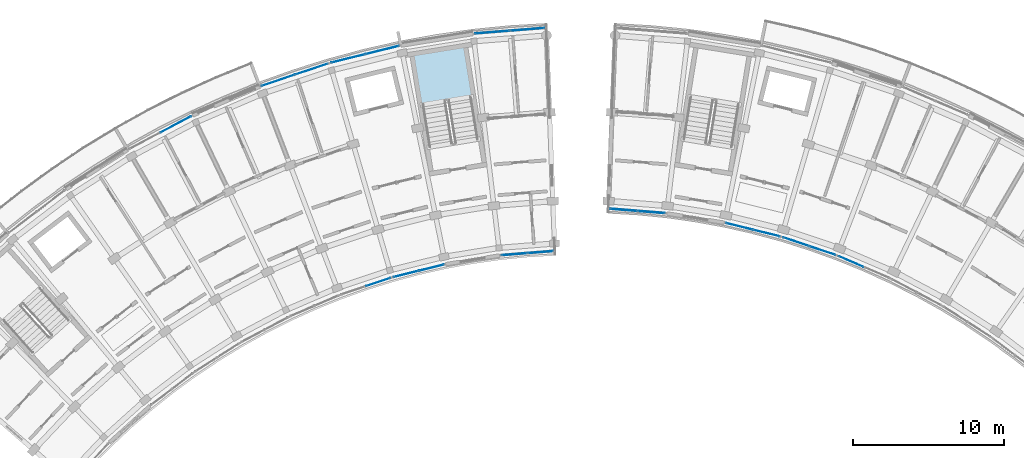
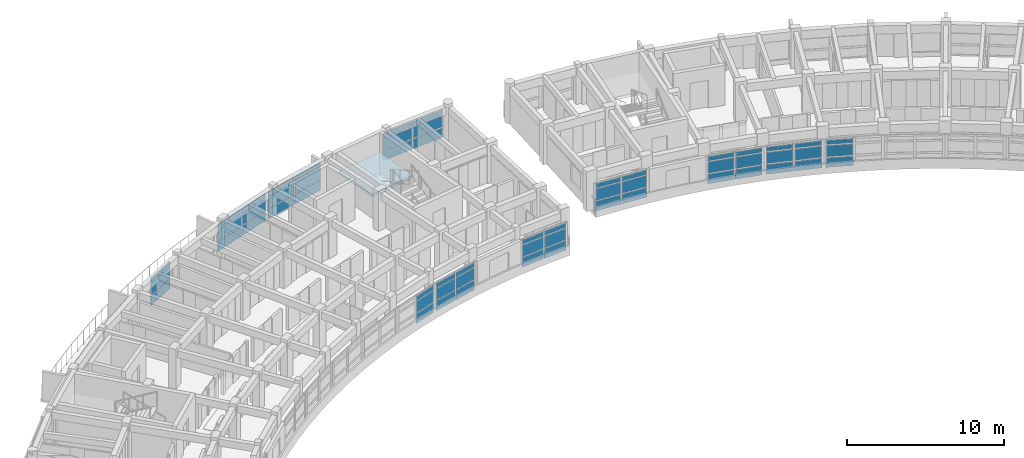
# One storey, part 20 of 40: 57 plates, 1 slab, 12 elements without a shape of their own.
"""IFC4 building model written with IfcOpenShell, lengths in metres."""

from ifc_helpers import new_model, si_unit, direction, frame, origin, origin_2d, place, context, subcontext, project, spatial, polyline, rectangle, outline, extrude, material, layer, layer_set, type_object, element, aggregate, save


model = new_model("IFC4")

# Units and contexts
model_context = context("Model", 3, precision=1e-05, world=origin(), true_north=direction((0.0, 1.0)))
body_context = subcontext(model_context, "Body", "Model", "MODEL_VIEW")
ifc_project = project(units=[si_unit("LENGTHUNIT", "METRE"), si_unit("AREAUNIT", "SQUARE_METRE"), si_unit("VOLUMEUNIT", "CUBIC_METRE"), si_unit("PLANEANGLEUNIT", "RADIAN"), si_unit("MASSUNIT", "GRAM", prefix="KILO")], contexts=[model_context])

# Site, building, storey
site_placement = place(None, origin())
site = spatial("IfcSite", under=ifc_project, at=site_placement, CompositionType="ELEMENT")
building_placement = place(site_placement, origin())
building = spatial("IfcBuilding", under=site, at=building_placement, Name="Zimvara Arc Housing Community", CompositionType="ELEMENT")
storey_placement = place(building_placement, frame((0.0, 0.0, 32.89990234375)))
storey = spatial("IfcBuildingStorey", under=building, at=storey_placement, Name="L10", CompositionType="ELEMENT", Elevation=32.89990234375)

# Curtain wall, plates
ifc_material_1 = material(Name="Anodised Aluminium AW-6063", Category="aluminium")
curtain_wall_type_1 = type_object("IfcCurtainWallType", Name="CW-SYS-04", PredefinedType="USERDEFINED", material=ifc_material_1)
curtain_wall_1_placement = place(storey_placement, origin())
curtain_wall_1 = element("IfcCurtainWall", 1, at=curtain_wall_1_placement, inside=storey, type_object=curtain_wall_type_1, Name="cw:blkA:L10:in:b7", ObjectType="CURTAIN WALL", PredefinedType="USERDEFINED")
ifc_material_2 = material(Name="Pale-Gold Anodised Aluminium Spandrel Panel", Category="aluminium")
ifc_layer_1 = layer(ifc_material_2, 0.035888671875)
ifc_layer_set_1 = layer_set([ifc_layer_1], Name="Pale-Gold Anodised Aluminium Spandrel Panel")
plate_type_1 = type_object("IfcPlateType", Name="CWP-GLD-36", PredefinedType="CURTAIN_PANEL", material=ifc_layer_set_1)
plate_1_placement = place(storey_placement, frame((33.45068359375, 87.569580078125, 0.065185546875), z_axis=(0.0, 0.0, 1.0), x_axis=(0.970716537698, 0.240227815706, 0.0)))
plate_1 = element("IfcPlate", 2, at=plate_1_placement, type_object=plate_type_1, Name="CW04 panel 1.1", PredefinedType="CURTAIN_PANEL", context=body_context, shape_type="SweptSolid", body=[
    extrude(rectangle(XDim=1.664306640625, YDim=0.035888671875, at=origin_2d()), origin(), (0.0, 0.0, 1.0), 0.75244140625),
])
plate_2_placement = place(storey_placement, frame((33.45068359375, 87.569580078125, 0.8828125), z_axis=(0.0, 0.0, 1.0), x_axis=(0.970716537698, 0.240227815706, 0.0)))
plate_2 = element("IfcPlate", 3, at=plate_2_placement, type_object=plate_type_1, Name="CW04 panel 1.2", PredefinedType="CURTAIN_PANEL", context=body_context, shape_type="SweptSolid", body=[
    extrude(rectangle(XDim=1.664306640625, YDim=0.035888671875, at=origin_2d()), origin(), (0.0, 0.0, 1.0), 0.885009765625),
])
plate_3_placement = place(storey_placement, frame((33.45068359375, 87.569580078125, 1.83251953125), z_axis=(0.0, 0.0, 1.0), x_axis=(0.970716537698, 0.240227815706, 0.0)))
plate_3 = element("IfcPlate", 4, at=plate_3_placement, type_object=plate_type_1, Name="CW04 panel 1.3", PredefinedType="CURTAIN_PANEL", context=body_context, shape_type="SweptSolid", body=[
    extrude(rectangle(XDim=1.664306640625, YDim=0.035888671875, at=origin_2d()), origin(), (0.0, 0.0, 1.0), 0.3525390625),
])
plate_4_placement = place(storey_placement, frame((35.12939453125, 87.98486328125, 0.065185546875), z_axis=(0.0, 0.0, 1.0), x_axis=(0.970716537698, 0.240227815706, 0.0)))
plate_4 = element("IfcPlate", 5, at=plate_4_placement, type_object=plate_type_1, Name="CW04 panel 2.1", PredefinedType="CURTAIN_PANEL", context=body_context, shape_type="SweptSolid", body=[
    extrude(rectangle(XDim=1.664306640625, YDim=0.035888671875, at=origin_2d()), origin(), (0.0, 0.0, 1.0), 0.75244140625),
])
plate_5_placement = place(storey_placement, frame((35.12939453125, 87.98486328125, 0.8828125), z_axis=(0.0, 0.0, 1.0), x_axis=(0.970716537698, 0.240227815706, 0.0)))
plate_5 = element("IfcPlate", 6, at=plate_5_placement, type_object=plate_type_1, Name="CW04 panel 2.2", PredefinedType="CURTAIN_PANEL", context=body_context, shape_type="SweptSolid", body=[
    extrude(rectangle(XDim=1.664306640625, YDim=0.035888671875, at=origin_2d()), origin(), (0.0, 0.0, 1.0), 0.885009765625),
])
plate_6_placement = place(storey_placement, frame((35.12939453125, 87.98486328125, 1.83251953125), z_axis=(0.0, 0.0, 1.0), x_axis=(0.970716537698, 0.240227815706, 0.0)))
plate_6 = element("IfcPlate", 7, at=plate_6_placement, type_object=plate_type_1, Name="CW04 panel 2.3", PredefinedType="CURTAIN_PANEL", context=body_context, shape_type="SweptSolid", body=[
    extrude(rectangle(XDim=1.664306640625, YDim=0.035888671875, at=origin_2d()), origin(), (0.0, 0.0, 1.0), 0.3525390625),
])
aggregate(curtain_wall_1, [plate_1, plate_2, plate_3, plate_4, plate_5, plate_6])

ifc_material_3 = material(Name="Anodised Aluminium AW-6063", Category="aluminium")
curtain_wall_type_2 = type_object("IfcCurtainWallType", Name="CW-SYS-08", PredefinedType="USERDEFINED", material=ifc_material_3)
curtain_wall_2_placement = place(storey_placement, origin())
curtain_wall_2 = element("IfcCurtainWall", 8, at=curtain_wall_2_placement, inside=storey, type_object=curtain_wall_type_2, Name="cw:blkB:L10:in:b0", ObjectType="CURTAIN WALL", PredefinedType="USERDEFINED")
plate_7_placement = place(storey_placement, frame((47.83154296875, 91.8046875, 0.065185546875), z_axis=(0.0, 0.0, 1.0), x_axis=(0.996862312384, -0.079155101851, 0.0)))
plate_7 = element("IfcPlate", 9, at=plate_7_placement, type_object=plate_type_1, Name="CW08 panel 1.1", PredefinedType="CURTAIN_PANEL", context=body_context, shape_type="SweptSolid", body=[
    extrude(rectangle(XDim=1.778564453125, YDim=0.035888671875, at=origin_2d()), origin(), (0.0, 0.0, 1.0), 0.75244140625),
])
plate_8_placement = place(storey_placement, frame((47.83154296875, 91.8046875, 0.8828125), z_axis=(0.0, 0.0, 1.0), x_axis=(0.996862312384, -0.079155101851, 0.0)))
plate_8 = element("IfcPlate", 10, at=plate_8_placement, type_object=plate_type_1, Name="CW08 panel 1.2", PredefinedType="CURTAIN_PANEL", context=body_context, shape_type="SweptSolid", body=[
    extrude(rectangle(XDim=1.778564453125, YDim=0.035888671875, at=origin_2d()), origin(), (0.0, 0.0, 1.0), 0.885009765625),
])
plate_9_placement = place(storey_placement, frame((47.83154296875, 91.8046875, 1.83251953125), z_axis=(0.0, 0.0, 1.0), x_axis=(0.996862312384, -0.079155101851, 0.0)))
plate_9 = element("IfcPlate", 11, at=plate_9_placement, type_object=plate_type_1, Name="CW08 panel 1.3", PredefinedType="CURTAIN_PANEL", context=body_context, shape_type="SweptSolid", body=[
    extrude(rectangle(XDim=1.778564453125, YDim=0.035888671875, at=origin_2d()), origin(), (0.0, 0.0, 1.0), 0.3525390625),
])
plate_10_placement = place(storey_placement, frame((49.66943359375, 91.658935546875, 0.065185546875), z_axis=(0.0, 0.0, 1.0), x_axis=(0.996862312384, -0.079155101851, 0.0)))
plate_10 = element("IfcPlate", 12, at=plate_10_placement, type_object=plate_type_1, Name="CW08 panel 2.1", PredefinedType="CURTAIN_PANEL", context=body_context, shape_type="SweptSolid", body=[
    extrude(rectangle(XDim=1.778564453125, YDim=0.035888671875, at=origin_2d()), origin(), (0.0, 0.0, 1.0), 0.75244140625),
])
plate_11_placement = place(storey_placement, frame((49.66943359375, 91.658935546875, 0.8828125), z_axis=(0.0, 0.0, 1.0), x_axis=(0.996862312384, -0.079155101851, 0.0)))
plate_11 = element("IfcPlate", 13, at=plate_11_placement, type_object=plate_type_1, Name="CW08 panel 2.2", PredefinedType="CURTAIN_PANEL", context=body_context, shape_type="SweptSolid", body=[
    extrude(rectangle(XDim=1.778564453125, YDim=0.035888671875, at=origin_2d()), origin(), (0.0, 0.0, 1.0), 0.885009765625),
])
plate_12_placement = place(storey_placement, frame((49.66943359375, 91.658935546875, 1.83251953125), z_axis=(0.0, 0.0, 1.0), x_axis=(0.996862312384, -0.079155101851, 0.0)))
plate_12 = element("IfcPlate", 14, at=plate_12_placement, type_object=plate_type_1, Name="CW08 panel 2.3", PredefinedType="CURTAIN_PANEL", context=body_context, shape_type="SweptSolid", body=[
    extrude(rectangle(XDim=1.778564453125, YDim=0.035888671875, at=origin_2d()), origin(), (0.0, 0.0, 1.0), 0.3525390625),
])
aggregate(curtain_wall_2, [plate_7, plate_8, plate_9, plate_10, plate_11, plate_12])

ifc_material_4 = material(Name="Anodised Aluminium AW-6063", Category="aluminium")
curtain_wall_type_3 = type_object("IfcCurtainWallType", Name="CW-SYS-01", PredefinedType="USERDEFINED", material=ifc_material_4)
curtain_wall_3_placement = place(storey_placement, origin())
curtain_wall_3 = element("IfcCurtainWall", 15, at=curtain_wall_3_placement, inside=storey, type_object=curtain_wall_type_3, Name="cw:blkA:L10:out:b6", ObjectType="CURTAIN WALL", PredefinedType="USERDEFINED")
ifc_material_5 = material(Name="Solar Control Low-E Double Glazing", Category="glass")
ifc_layer_2 = layer(ifc_material_5, 0.02392578125)
ifc_layer_set_2 = layer_set([ifc_layer_2], Name="Solar Control Low-E Double Glazing")
plate_type_2 = type_object("IfcPlateType", Name="CWP-GLZ-24", PredefinedType="CURTAIN_PANEL", material=ifc_layer_set_2)
plate_13_placement = place(storey_placement, frame((24.990478515625, 100.36669921875, 0.065185546875), z_axis=(0.0, 0.0, 1.0), x_axis=(0.947879647164, 0.318628583921, 0.0)))
plate_13 = element("IfcPlate", 16, at=plate_13_placement, type_object=plate_type_2, Name="CW01 panel 1.1", PredefinedType="CURTAIN_PANEL", context=body_context, shape_type="SweptSolid", body=[
    extrude(rectangle(XDim=2.266845703125, YDim=0.02392578125, at=origin_2d()), origin(), (0.0, 0.0, 1.0), 0.75244140625),
])
plate_14_placement = place(storey_placement, frame((24.990478515625, 100.36669921875, 0.8828125), z_axis=(0.0, 0.0, 1.0), x_axis=(0.947879647164, 0.318628583921, 0.0)))
plate_14 = element("IfcPlate", 17, at=plate_14_placement, type_object=plate_type_2, Name="CW01 panel 1.2", PredefinedType="CURTAIN_PANEL", context=body_context, shape_type="SweptSolid", body=[
    extrude(rectangle(XDim=2.266845703125, YDim=0.02392578125, at=origin_2d()), origin(), (0.0, 0.0, 1.0), 0.885009765625),
])
plate_15_placement = place(storey_placement, frame((24.990478515625, 100.36669921875, 1.83251953125), z_axis=(0.0, 0.0, 1.0), x_axis=(0.947879647164, 0.318628583921, 0.0)))
plate_15 = element("IfcPlate", 18, at=plate_15_placement, type_object=plate_type_2, Name="CW01 panel 1.3", PredefinedType="CURTAIN_PANEL", context=body_context, shape_type="SweptSolid", body=[
    extrude(rectangle(XDim=2.266845703125, YDim=0.02392578125, at=origin_2d()), origin(), (0.0, 0.0, 1.0), 0.3525390625),
])
plate_16_placement = place(storey_placement, frame((27.200927734375, 101.109619140625, 0.065185546875), z_axis=(0.0, 0.0, 1.0), x_axis=(0.947879647164, 0.318628583921, 0.0)))
plate_16 = element("IfcPlate", 19, at=plate_16_placement, type_object=plate_type_2, Name="CW01 panel 2.1", PredefinedType="CURTAIN_PANEL", context=body_context, shape_type="SweptSolid", body=[
    extrude(rectangle(XDim=2.266845703125, YDim=0.02392578125, at=origin_2d()), origin(), (0.0, 0.0, 1.0), 0.75244140625),
])
plate_17_placement = place(storey_placement, frame((27.200927734375, 101.109619140625, 0.8828125), z_axis=(0.0, 0.0, 1.0), x_axis=(0.947879647164, 0.318628583921, 0.0)))
plate_17 = element("IfcPlate", 20, at=plate_17_placement, type_object=plate_type_2, Name="CW01 panel 2.2", PredefinedType="CURTAIN_PANEL", context=body_context, shape_type="SweptSolid", body=[
    extrude(rectangle(XDim=2.266845703125, YDim=0.02392578125, at=origin_2d()), origin(), (0.0, 0.0, 1.0), 0.885009765625),
])
plate_18_placement = place(storey_placement, frame((27.200927734375, 101.109619140625, 1.83251953125), z_axis=(0.0, 0.0, 1.0), x_axis=(0.947879647164, 0.318628583921, 0.0)))
plate_18 = element("IfcPlate", 21, at=plate_18_placement, type_object=plate_type_2, Name="CW01 panel 2.3", PredefinedType="CURTAIN_PANEL", context=body_context, shape_type="SweptSolid", body=[
    extrude(rectangle(XDim=2.266845703125, YDim=0.02392578125, at=origin_2d()), origin(), (0.0, 0.0, 1.0), 0.3525390625),
])
aggregate(curtain_wall_3, [plate_13, plate_14, plate_15, plate_16, plate_17, plate_18])

ifc_material_6 = material(Name="Anodised Aluminium AW-6063", Category="aluminium")
curtain_wall_type_4 = type_object("IfcCurtainWallType", Name="CW-SYS-05", PredefinedType="USERDEFINED", material=ifc_material_6)
curtain_wall_4_placement = place(storey_placement, origin())
curtain_wall_4 = element("IfcCurtainWall", 22, at=curtain_wall_4_placement, inside=storey, type_object=curtain_wall_type_4, Name="cw:blkA:L10:out:b9", ObjectType="CURTAIN WALL", PredefinedType="USERDEFINED")
plate_19_placement = place(storey_placement, frame((39.141357421875, 103.552001953125, 0.065185546875), z_axis=(0.0, 0.0, 1.0), x_axis=(0.996862418963, 0.079153759607, 0.0)))
plate_19 = element("IfcPlate", 23, at=plate_19_placement, type_object=plate_type_2, Name="CW05 panel 1.1", PredefinedType="CURTAIN_PANEL", context=body_context, shape_type="SweptSolid", body=[
    extrude(rectangle(XDim=2.266845703125, YDim=0.02392578125, at=origin_2d()), origin(), (0.0, 0.0, 1.0), 0.75244140625),
])
plate_20_placement = place(storey_placement, frame((39.141357421875, 103.552001953125, 0.8828125), z_axis=(0.0, 0.0, 1.0), x_axis=(0.996862418963, 0.079153759607, 0.0)))
plate_20 = element("IfcPlate", 24, at=plate_20_placement, type_object=plate_type_2, Name="CW05 panel 1.2", PredefinedType="CURTAIN_PANEL", context=body_context, shape_type="SweptSolid", body=[
    extrude(rectangle(XDim=2.266845703125, YDim=0.02392578125, at=origin_2d()), origin(), (0.0, 0.0, 1.0), 0.885009765625),
])
plate_21_placement = place(storey_placement, frame((39.141357421875, 103.552001953125, 1.83251953125), z_axis=(0.0, 0.0, 1.0), x_axis=(0.996862418963, 0.079153759607, 0.0)))
plate_21 = element("IfcPlate", 25, at=plate_21_placement, type_object=plate_type_2, Name="CW05 panel 1.3", PredefinedType="CURTAIN_PANEL", context=body_context, shape_type="SweptSolid", body=[
    extrude(rectangle(XDim=2.266845703125, YDim=0.02392578125, at=origin_2d()), origin(), (0.0, 0.0, 1.0), 0.3525390625),
])
plate_22_placement = place(storey_placement, frame((41.466064453125, 103.736572265625, 0.065185546875), z_axis=(0.0, 0.0, 1.0), x_axis=(0.996862418963, 0.079153759607, 0.0)))
plate_22 = element("IfcPlate", 26, at=plate_22_placement, type_object=plate_type_2, Name="CW05 panel 2.1", PredefinedType="CURTAIN_PANEL", context=body_context, shape_type="SweptSolid", body=[
    extrude(rectangle(XDim=2.266845703125, YDim=0.02392578125, at=origin_2d()), origin(), (0.0, 0.0, 1.0), 0.75244140625),
])
plate_23_placement = place(storey_placement, frame((41.466064453125, 103.736572265625, 0.8828125), z_axis=(0.0, 0.0, 1.0), x_axis=(0.996862418963, 0.079153759607, 0.0)))
plate_23 = element("IfcPlate", 27, at=plate_23_placement, type_object=plate_type_2, Name="CW05 panel 2.2", PredefinedType="CURTAIN_PANEL", context=body_context, shape_type="SweptSolid", body=[
    extrude(rectangle(XDim=2.266845703125, YDim=0.02392578125, at=origin_2d()), origin(), (0.0, 0.0, 1.0), 0.885009765625),
])
plate_24_placement = place(storey_placement, frame((41.466064453125, 103.736572265625, 1.83251953125), z_axis=(0.0, 0.0, 1.0), x_axis=(0.996862418963, 0.079153759607, 0.0)))
plate_24 = element("IfcPlate", 28, at=plate_24_placement, type_object=plate_type_2, Name="CW05 panel 2.3", PredefinedType="CURTAIN_PANEL", context=body_context, shape_type="SweptSolid", body=[
    extrude(rectangle(XDim=2.266845703125, YDim=0.02392578125, at=origin_2d()), origin(), (0.0, 0.0, 1.0), 0.3525390625),
])
aggregate(curtain_wall_4, [plate_19, plate_20, plate_21, plate_22, plate_23, plate_24])

curtain_wall_5_placement = place(storey_placement, origin())
curtain_wall_5 = element("IfcCurtainWall", 29, at=curtain_wall_5_placement, inside=storey, type_object=curtain_wall_type_4, Name="cw:blkB:L10:in:b4", ObjectType="CURTAIN WALL", PredefinedType="USERDEFINED")
plate_25_placement = place(storey_placement, frame((62.86376953125, 88.3935546875, 0.065185546875), z_axis=(0.0, 0.0, 1.0), x_axis=(0.918722411261, -0.394903951674, 0.0)))
plate_25 = element("IfcPlate", 30, at=plate_25_placement, type_object=plate_type_2, Name="CW05 panel 1.1", PredefinedType="CURTAIN_PANEL", context=body_context, shape_type="SweptSolid", body=[
    extrude(rectangle(XDim=1.778564453125, YDim=0.02392578125, at=origin_2d()), origin(), (0.0, 0.0, 1.0), 0.75244140625),
])
plate_26_placement = place(storey_placement, frame((62.86376953125, 88.3935546875, 0.8828125), z_axis=(0.0, 0.0, 1.0), x_axis=(0.918722411261, -0.394903951674, 0.0)))
plate_26 = element("IfcPlate", 31, at=plate_26_placement, type_object=plate_type_2, Name="CW05 panel 1.2", PredefinedType="CURTAIN_PANEL", context=body_context, shape_type="SweptSolid", body=[
    extrude(rectangle(XDim=1.778564453125, YDim=0.02392578125, at=origin_2d()), origin(), (0.0, 0.0, 1.0), 0.885009765625),
])
plate_27_placement = place(storey_placement, frame((62.86376953125, 88.3935546875, 1.83251953125), z_axis=(0.0, 0.0, 1.0), x_axis=(0.918722411261, -0.394903951674, 0.0)))
plate_27 = element("IfcPlate", 32, at=plate_27_placement, type_object=plate_type_2, Name="CW05 panel 1.3", PredefinedType="CURTAIN_PANEL", context=body_context, shape_type="SweptSolid", body=[
    extrude(rectangle(XDim=1.778564453125, YDim=0.02392578125, at=origin_2d()), origin(), (0.0, 0.0, 1.0), 0.3525390625),
])
aggregate(curtain_wall_5, [plate_25, plate_26, plate_27])

ifc_material_7 = material(Name="Anodised Aluminium AW-6063", Category="aluminium")
curtain_wall_type_5 = type_object("IfcCurtainWallType", Name="CW-SYS-06", PredefinedType="USERDEFINED", material=ifc_material_7)
curtain_wall_6_placement = place(storey_placement, origin())
curtain_wall_6 = element("IfcCurtainWall", 33, at=curtain_wall_6_placement, inside=storey, type_object=curtain_wall_type_5, Name="cw:blkA:L10:out:b4", ObjectType="CURTAIN WALL", PredefinedType="USERDEFINED")
ifc_material_8 = material(Name="Solar Control Low-E Double Glazing", Category="glass")
ifc_layer_3 = layer(ifc_material_8, 0.028076171875)
ifc_layer_set_3 = layer_set([ifc_layer_3], Name="Solar Control Low-E Double Glazing")
plate_type_3 = type_object("IfcPlateType", Name="CWP-GLZ-28", PredefinedType="CURTAIN_PANEL", material=ifc_layer_set_3)
plate_28_placement = place(storey_placement, frame((18.23095703125, 97.461181640625, 0.065185546875), z_axis=(0.0, 0.0, 1.0), x_axis=(0.883438614651, 0.468546917761, 0.0)))
plate_28 = element("IfcPlate", 34, at=plate_28_placement, type_object=plate_type_3, Name="CW06 panel 2.1", PredefinedType="CURTAIN_PANEL", context=body_context, shape_type="SweptSolid", body=[
    extrude(rectangle(XDim=2.266845703125, YDim=0.028076171875, at=origin_2d()), origin(), (0.0, 0.0, 1.0), 0.75244140625),
])
plate_29_placement = place(storey_placement, frame((18.23095703125, 97.461181640625, 0.8828125), z_axis=(0.0, 0.0, 1.0), x_axis=(0.883438614651, 0.468546917761, 0.0)))
plate_29 = element("IfcPlate", 35, at=plate_29_placement, type_object=plate_type_3, Name="CW06 panel 2.2", PredefinedType="CURTAIN_PANEL", context=body_context, shape_type="SweptSolid", body=[
    extrude(rectangle(XDim=2.266845703125, YDim=0.028076171875, at=origin_2d()), origin(), (0.0, 0.0, 1.0), 0.885009765625),
])
plate_30_placement = place(storey_placement, frame((18.23095703125, 97.461181640625, 1.83251953125), z_axis=(0.0, 0.0, 1.0), x_axis=(0.883438614651, 0.468546917761, 0.0)))
plate_30 = element("IfcPlate", 36, at=plate_30_placement, type_object=plate_type_3, Name="CW06 panel 2.3", PredefinedType="CURTAIN_PANEL", context=body_context, shape_type="SweptSolid", body=[
    extrude(rectangle(XDim=2.266845703125, YDim=0.028076171875, at=origin_2d()), origin(), (0.0, 0.0, 1.0), 0.3525390625),
])
aggregate(curtain_wall_6, [plate_28, plate_29, plate_30])

ifc_material_9 = material(Name="Anodised Aluminium AW-6063", Category="aluminium")
curtain_wall_type_6 = type_object("IfcCurtainWallType", Name="CW-SYS-02", PredefinedType="USERDEFINED", material=ifc_material_9)
curtain_wall_7_placement = place(storey_placement, origin())
curtain_wall_7 = element("IfcCurtainWall", 37, at=curtain_wall_7_placement, inside=storey, type_object=curtain_wall_type_6, Name="cw:blkA:L10:in:b6", ObjectType="CURTAIN WALL", PredefinedType="USERDEFINED")
plate_31_placement = place(storey_placement, frame((31.6142578125, 87.03466796875, 0.065185546875), z_axis=(0.0, 0.0, 1.0), x_axis=(0.94787908732, 0.318630249383, 0.0)))
plate_31 = element("IfcPlate", 38, at=plate_31_placement, type_object=plate_type_3, Name="CW02 panel 2.1", PredefinedType="CURTAIN_PANEL", context=body_context, shape_type="SweptSolid", body=[
    extrude(rectangle(XDim=1.664306640625, YDim=0.028076171875, at=origin_2d()), origin(), (0.0, 0.0, 1.0), 0.75244140625),
])
plate_32_placement = place(storey_placement, frame((31.6142578125, 87.03466796875, 0.8828125), z_axis=(0.0, 0.0, 1.0), x_axis=(0.94787908732, 0.318630249383, 0.0)))
plate_32 = element("IfcPlate", 39, at=plate_32_placement, type_object=plate_type_3, Name="CW02 panel 2.2", PredefinedType="CURTAIN_PANEL", context=body_context, shape_type="SweptSolid", body=[
    extrude(rectangle(XDim=1.664306640625, YDim=0.028076171875, at=origin_2d()), origin(), (0.0, 0.0, 1.0), 0.885009765625),
])
plate_33_placement = place(storey_placement, frame((31.6142578125, 87.03466796875, 1.83251953125), z_axis=(0.0, 0.0, 1.0), x_axis=(0.94787908732, 0.318630249383, 0.0)))
plate_33 = element("IfcPlate", 40, at=plate_33_placement, type_object=plate_type_3, Name="CW02 panel 2.3", PredefinedType="CURTAIN_PANEL", context=body_context, shape_type="SweptSolid", body=[
    extrude(rectangle(XDim=1.664306640625, YDim=0.028076171875, at=origin_2d()), origin(), (0.0, 0.0, 1.0), 0.3525390625),
])
aggregate(curtain_wall_7, [plate_31, plate_32, plate_33])

curtain_wall_8_placement = place(storey_placement, origin())
curtain_wall_8 = element("IfcCurtainWall", 41, at=curtain_wall_8_placement, inside=storey, type_object=curtain_wall_type_5, Name="cw:blkA:L10:in:b9", ObjectType="CURTAIN WALL", PredefinedType="USERDEFINED")
plate_34_placement = place(storey_placement, frame((40.609130859375, 88.87451171875, 0.065185546875), z_axis=(0.0, 0.0, 1.0), x_axis=(0.996862343506, 0.079154709897, 0.0)))
plate_34 = element("IfcPlate", 42, at=plate_34_placement, type_object=plate_type_3, Name="CW06 panel 1.1", PredefinedType="CURTAIN_PANEL", context=body_context, shape_type="SweptSolid", body=[
    extrude(rectangle(XDim=1.664306640625, YDim=0.028076171875, at=origin_2d()), origin(), (0.0, 0.0, 1.0), 0.75244140625),
])
plate_35_placement = place(storey_placement, frame((40.609130859375, 88.87451171875, 0.8828125), z_axis=(0.0, 0.0, 1.0), x_axis=(0.996862343506, 0.079154709897, 0.0)))
plate_35 = element("IfcPlate", 43, at=plate_35_placement, type_object=plate_type_3, Name="CW06 panel 1.2", PredefinedType="CURTAIN_PANEL", context=body_context, shape_type="SweptSolid", body=[
    extrude(rectangle(XDim=1.664306640625, YDim=0.028076171875, at=origin_2d()), origin(), (0.0, 0.0, 1.0), 0.885009765625),
])
plate_36_placement = place(storey_placement, frame((40.609130859375, 88.87451171875, 1.83251953125), z_axis=(0.0, 0.0, 1.0), x_axis=(0.996862343506, 0.079154709897, 0.0)))
plate_36 = element("IfcPlate", 44, at=plate_36_placement, type_object=plate_type_3, Name="CW06 panel 1.3", PredefinedType="CURTAIN_PANEL", context=body_context, shape_type="SweptSolid", body=[
    extrude(rectangle(XDim=1.664306640625, YDim=0.028076171875, at=origin_2d()), origin(), (0.0, 0.0, 1.0), 0.3525390625),
])
plate_37_placement = place(storey_placement, frame((42.3330078125, 89.01123046875, 0.065185546875), z_axis=(0.0, 0.0, 1.0), x_axis=(0.996862343506, 0.079154709897, 0.0)))
plate_37 = element("IfcPlate", 45, at=plate_37_placement, type_object=plate_type_3, Name="CW06 panel 2.1", PredefinedType="CURTAIN_PANEL", context=body_context, shape_type="SweptSolid", body=[
    extrude(rectangle(XDim=1.664306640625, YDim=0.028076171875, at=origin_2d()), origin(), (0.0, 0.0, 1.0), 0.75244140625),
])
plate_38_placement = place(storey_placement, frame((42.3330078125, 89.01123046875, 0.8828125), z_axis=(0.0, 0.0, 1.0), x_axis=(0.996862343506, 0.079154709897, 0.0)))
plate_38 = element("IfcPlate", 46, at=plate_38_placement, type_object=plate_type_3, Name="CW06 panel 2.2", PredefinedType="CURTAIN_PANEL", context=body_context, shape_type="SweptSolid", body=[
    extrude(rectangle(XDim=1.664306640625, YDim=0.028076171875, at=origin_2d()), origin(), (0.0, 0.0, 1.0), 0.885009765625),
])
plate_39_placement = place(storey_placement, frame((42.3330078125, 89.01123046875, 1.83251953125), z_axis=(0.0, 0.0, 1.0), x_axis=(0.996862343506, 0.079154709897, 0.0)))
plate_39 = element("IfcPlate", 47, at=plate_39_placement, type_object=plate_type_3, Name="CW06 panel 2.3", PredefinedType="CURTAIN_PANEL", context=body_context, shape_type="SweptSolid", body=[
    extrude(rectangle(XDim=1.664306640625, YDim=0.028076171875, at=origin_2d()), origin(), (0.0, 0.0, 1.0), 0.3525390625),
])
aggregate(curtain_wall_8, [plate_34, plate_35, plate_36, plate_37, plate_38, plate_39])

curtain_wall_9_placement = place(storey_placement, origin())
curtain_wall_9 = element("IfcCurtainWall", 48, at=curtain_wall_9_placement, inside=storey, type_object=curtain_wall_type_6, Name="cw:blkB:L10:in:b2", ObjectType="CURTAIN WALL", PredefinedType="USERDEFINED")
plate_40_placement = place(storey_placement, frame((55.4873046875, 90.71435546875, 0.065185546875), z_axis=(0.0, 0.0, 1.0), x_axis=(0.970716198507, -0.240229186313, 0.0)))
plate_40 = element("IfcPlate", 49, at=plate_40_placement, type_object=plate_type_3, Name="CW02 panel 1.1", PredefinedType="CURTAIN_PANEL", context=body_context, shape_type="SweptSolid", body=[
    extrude(rectangle(XDim=1.778564453125, YDim=0.028076171875, at=origin_2d()), origin(), (0.0, 0.0, 1.0), 0.75244140625),
])
plate_41_placement = place(storey_placement, frame((55.4873046875, 90.71435546875, 0.8828125), z_axis=(0.0, 0.0, 1.0), x_axis=(0.970716198507, -0.240229186313, 0.0)))
plate_41 = element("IfcPlate", 50, at=plate_41_placement, type_object=plate_type_3, Name="CW02 panel 1.2", PredefinedType="CURTAIN_PANEL", context=body_context, shape_type="SweptSolid", body=[
    extrude(rectangle(XDim=1.778564453125, YDim=0.028076171875, at=origin_2d()), origin(), (0.0, 0.0, 1.0), 0.885009765625),
])
plate_42_placement = place(storey_placement, frame((55.4873046875, 90.71435546875, 1.83251953125), z_axis=(0.0, 0.0, 1.0), x_axis=(0.970716198507, -0.240229186313, 0.0)))
plate_42 = element("IfcPlate", 51, at=plate_42_placement, type_object=plate_type_3, Name="CW02 panel 1.3", PredefinedType="CURTAIN_PANEL", context=body_context, shape_type="SweptSolid", body=[
    extrude(rectangle(XDim=1.778564453125, YDim=0.028076171875, at=origin_2d()), origin(), (0.0, 0.0, 1.0), 0.3525390625),
])
plate_43_placement = place(storey_placement, frame((57.27685546875, 90.271484375, 0.065185546875), z_axis=(0.0, 0.0, 1.0), x_axis=(0.970716198507, -0.240229186313, 0.0)))
plate_43 = element("IfcPlate", 52, at=plate_43_placement, type_object=plate_type_3, Name="CW02 panel 2.1", PredefinedType="CURTAIN_PANEL", context=body_context, shape_type="SweptSolid", body=[
    extrude(rectangle(XDim=1.778564453125, YDim=0.028076171875, at=origin_2d()), origin(), (0.0, 0.0, 1.0), 0.75244140625),
])
plate_44_placement = place(storey_placement, frame((57.27685546875, 90.271484375, 0.8828125), z_axis=(0.0, 0.0, 1.0), x_axis=(0.970716198507, -0.240229186313, 0.0)))
plate_44 = element("IfcPlate", 53, at=plate_44_placement, type_object=plate_type_3, Name="CW02 panel 2.2", PredefinedType="CURTAIN_PANEL", context=body_context, shape_type="SweptSolid", body=[
    extrude(rectangle(XDim=1.778564453125, YDim=0.028076171875, at=origin_2d()), origin(), (0.0, 0.0, 1.0), 0.885009765625),
])
plate_45_placement = place(storey_placement, frame((57.27685546875, 90.271484375, 1.83251953125), z_axis=(0.0, 0.0, 1.0), x_axis=(0.970716198507, -0.240229186313, 0.0)))
plate_45 = element("IfcPlate", 54, at=plate_45_placement, type_object=plate_type_3, Name="CW02 panel 2.3", PredefinedType="CURTAIN_PANEL", context=body_context, shape_type="SweptSolid", body=[
    extrude(rectangle(XDim=1.778564453125, YDim=0.028076171875, at=origin_2d()), origin(), (0.0, 0.0, 1.0), 0.3525390625),
])
aggregate(curtain_wall_9, [plate_40, plate_41, plate_42, plate_43, plate_44, plate_45])

ifc_material_10 = material(Name="Anodised Aluminium AW-6063", Category="aluminium")
curtain_wall_type_7 = type_object("IfcCurtainWallType", Name="CW-SYS-03", PredefinedType="USERDEFINED", material=ifc_material_10)
curtain_wall_10_placement = place(storey_placement, origin())
curtain_wall_10 = element("IfcCurtainWall", 55, at=curtain_wall_10_placement, inside=storey, type_object=curtain_wall_type_7, Name="cw:blkA:L10:out:b7", ObjectType="CURTAIN WALL", PredefinedType="USERDEFINED")
ifc_material_11 = material(Name="Acoustic Laminated Solar Glazing", Category="glass")
ifc_layer_4 = layer(ifc_material_11, 0.031982421875)
ifc_layer_set_4 = layer_set([ifc_layer_4], Name="Acoustic Laminated Solar Glazing")
plate_type_4 = type_object("IfcPlateType", Name="CWP-GLZ-32", PredefinedType="CURTAIN_PANEL", material=ifc_layer_set_4)
plate_46_placement = place(storey_placement, frame((29.615234375, 101.81298828125, 0.065185546875), z_axis=(0.0, 0.0, 1.0), x_axis=(0.970716068627, 0.240229711131, 0.0)))
plate_46 = element("IfcPlate", 56, at=plate_46_placement, type_object=plate_type_4, Name="CW03 panel 1.1", PredefinedType="CURTAIN_PANEL", context=body_context, shape_type="SweptSolid", body=[
    extrude(rectangle(XDim=2.266845703125, YDim=0.031982421875, at=origin_2d()), origin(), (0.0, 0.0, 1.0), 0.75244140625),
])
plate_47_placement = place(storey_placement, frame((29.615234375, 101.81298828125, 0.8828125), z_axis=(0.0, 0.0, 1.0), x_axis=(0.970716068627, 0.240229711131, 0.0)))
plate_47 = element("IfcPlate", 57, at=plate_47_placement, type_object=plate_type_4, Name="CW03 panel 1.2", PredefinedType="CURTAIN_PANEL", context=body_context, shape_type="SweptSolid", body=[
    extrude(rectangle(XDim=2.266845703125, YDim=0.031982421875, at=origin_2d()), origin(), (0.0, 0.0, 1.0), 0.885009765625),
])
plate_48_placement = place(storey_placement, frame((29.615234375, 101.81298828125, 1.83251953125), z_axis=(0.0, 0.0, 1.0), x_axis=(0.970716068627, 0.240229711131, 0.0)))
plate_48 = element("IfcPlate", 58, at=plate_48_placement, type_object=plate_type_4, Name="CW03 panel 1.3", PredefinedType="CURTAIN_PANEL", context=body_context, shape_type="SweptSolid", body=[
    extrude(rectangle(XDim=2.266845703125, YDim=0.031982421875, at=origin_2d()), origin(), (0.0, 0.0, 1.0), 0.3525390625),
])
plate_49_placement = place(storey_placement, frame((31.87890625, 102.373291015625, 0.065185546875), z_axis=(0.0, 0.0, 1.0), x_axis=(0.970716068627, 0.240229711131, 0.0)))
plate_49 = element("IfcPlate", 59, at=plate_49_placement, type_object=plate_type_4, Name="CW03 panel 2.1", PredefinedType="CURTAIN_PANEL", context=body_context, shape_type="SweptSolid", body=[
    extrude(rectangle(XDim=2.266845703125, YDim=0.031982421875, at=origin_2d()), origin(), (0.0, 0.0, 1.0), 0.75244140625),
])
plate_50_placement = place(storey_placement, frame((31.87890625, 102.373291015625, 0.8828125), z_axis=(0.0, 0.0, 1.0), x_axis=(0.970716068627, 0.240229711131, 0.0)))
plate_50 = element("IfcPlate", 60, at=plate_50_placement, type_object=plate_type_4, Name="CW03 panel 2.2", PredefinedType="CURTAIN_PANEL", context=body_context, shape_type="SweptSolid", body=[
    extrude(rectangle(XDim=2.266845703125, YDim=0.031982421875, at=origin_2d()), origin(), (0.0, 0.0, 1.0), 0.885009765625),
])
plate_51_placement = place(storey_placement, frame((31.87890625, 102.373291015625, 1.83251953125), z_axis=(0.0, 0.0, 1.0), x_axis=(0.970716068627, 0.240229711131, 0.0)))
plate_51 = element("IfcPlate", 61, at=plate_51_placement, type_object=plate_type_4, Name="CW03 panel 2.3", PredefinedType="CURTAIN_PANEL", context=body_context, shape_type="SweptSolid", body=[
    extrude(rectangle(XDim=2.266845703125, YDim=0.031982421875, at=origin_2d()), origin(), (0.0, 0.0, 1.0), 0.3525390625),
])
aggregate(curtain_wall_10, [plate_46, plate_47, plate_48, plate_49, plate_50, plate_51])

curtain_wall_11_placement = place(storey_placement, origin())
curtain_wall_11 = element("IfcCurtainWall", 62, at=curtain_wall_11_placement, inside=storey, type_object=curtain_wall_type_7, Name="cw:blkB:L10:in:b3", ObjectType="CURTAIN WALL", PredefinedType="USERDEFINED")
plate_52_placement = place(storey_placement, frame((59.222900390625, 89.70458984375, 0.065185546875), z_axis=(0.0, 0.0, 1.0), x_axis=(0.94788021002, -0.318626909491, 0.0)))
plate_52 = element("IfcPlate", 63, at=plate_52_placement, type_object=plate_type_4, Name="CW03 panel 1.1", PredefinedType="CURTAIN_PANEL", context=body_context, shape_type="SweptSolid", body=[
    extrude(rectangle(XDim=1.778564453125, YDim=0.031982421875, at=origin_2d()), origin(), (0.0, 0.0, 1.0), 0.75244140625),
])
plate_53_placement = place(storey_placement, frame((59.222900390625, 89.70458984375, 0.8828125), z_axis=(0.0, 0.0, 1.0), x_axis=(0.94788021002, -0.318626909491, 0.0)))
plate_53 = element("IfcPlate", 64, at=plate_53_placement, type_object=plate_type_4, Name="CW03 panel 1.2", PredefinedType="CURTAIN_PANEL", context=body_context, shape_type="SweptSolid", body=[
    extrude(rectangle(XDim=1.778564453125, YDim=0.031982421875, at=origin_2d()), origin(), (0.0, 0.0, 1.0), 0.885009765625),
])
plate_54_placement = place(storey_placement, frame((59.222900390625, 89.70458984375, 1.83251953125), z_axis=(0.0, 0.0, 1.0), x_axis=(0.94788021002, -0.318626909491, 0.0)))
plate_54 = element("IfcPlate", 65, at=plate_54_placement, type_object=plate_type_4, Name="CW03 panel 1.3", PredefinedType="CURTAIN_PANEL", context=body_context, shape_type="SweptSolid", body=[
    extrude(rectangle(XDim=1.778564453125, YDim=0.031982421875, at=origin_2d()), origin(), (0.0, 0.0, 1.0), 0.3525390625),
])
plate_55_placement = place(storey_placement, frame((60.970458984375, 89.1171875, 0.065185546875), z_axis=(0.0, 0.0, 1.0), x_axis=(0.94788021002, -0.318626909491, 0.0)))
plate_55 = element("IfcPlate", 66, at=plate_55_placement, type_object=plate_type_4, Name="CW03 panel 2.1", PredefinedType="CURTAIN_PANEL", context=body_context, shape_type="SweptSolid", body=[
    extrude(rectangle(XDim=1.778564453125, YDim=0.031982421875, at=origin_2d()), origin(), (0.0, 0.0, 1.0), 0.75244140625),
])
plate_56_placement = place(storey_placement, frame((60.970458984375, 89.1171875, 0.8828125), z_axis=(0.0, 0.0, 1.0), x_axis=(0.94788021002, -0.318626909491, 0.0)))
plate_56 = element("IfcPlate", 67, at=plate_56_placement, type_object=plate_type_4, Name="CW03 panel 2.2", PredefinedType="CURTAIN_PANEL", context=body_context, shape_type="SweptSolid", body=[
    extrude(rectangle(XDim=1.778564453125, YDim=0.031982421875, at=origin_2d()), origin(), (0.0, 0.0, 1.0), 0.885009765625),
])
plate_57_placement = place(storey_placement, frame((60.970458984375, 89.1171875, 1.83251953125), z_axis=(0.0, 0.0, 1.0), x_axis=(0.94788021002, -0.318626909491, 0.0)))
plate_57 = element("IfcPlate", 68, at=plate_57_placement, type_object=plate_type_4, Name="CW03 panel 2.3", PredefinedType="CURTAIN_PANEL", context=body_context, shape_type="SweptSolid", body=[
    extrude(rectangle(XDim=1.778564453125, YDim=0.031982421875, at=origin_2d()), origin(), (0.0, 0.0, 1.0), 0.3525390625),
])
aggregate(curtain_wall_11, [plate_52, plate_53, plate_54, plate_55, plate_56, plate_57])

# Stair, slab
ifc_material_12 = material(Name="Concrete C35/45", Category="concrete")
stair_type = type_object("IfcStairType", Name="STR-DL-315-310", PredefinedType="HALF_TURN_STAIR", material=ifc_material_12)
stair_placement = place(storey_placement, origin())
stair = element("IfcStair", 69, at=stair_placement, inside=storey, type_object=stair_type, Name="L10 Block A Exit Stair 2", PredefinedType="HALF_TURN_STAIR")
ifc_material_13 = material(Name="Concrete C35/45", Category="concrete")
ifc_layer_5 = layer(ifc_material_13, 0.199951171875)
ifc_layer_set_5 = layer_set([ifc_layer_5], Name="Concrete C35/45")
slab_type = type_object("IfcSlabType", Name="SLB-STAIR-LND-200", PredefinedType="LANDING", material=ifc_layer_set_5)
slab_placement = place(storey_placement, frame((0.0, 0.0, 1.35009765625)))
slab = element("IfcSlab", 70, at=slab_placement, type_object=slab_type, Name="ST-A2 landing 1", PredefinedType="LANDING", context=body_context, shape_type="SweptSolid", body=[
    extrude(outline(polyline([(37.814697265625, 99.2509765625), (37.278564453125, 102.552978515625), (33.962158203125, 102.014404296875), (34.498046875, 98.712646484375), (37.814697265625, 99.2509765625)])), origin(), (0.0, 0.0, 1.0), 0.199951171875),
])
aggregate(stair, [slab])

save(model, "model.ifc")
